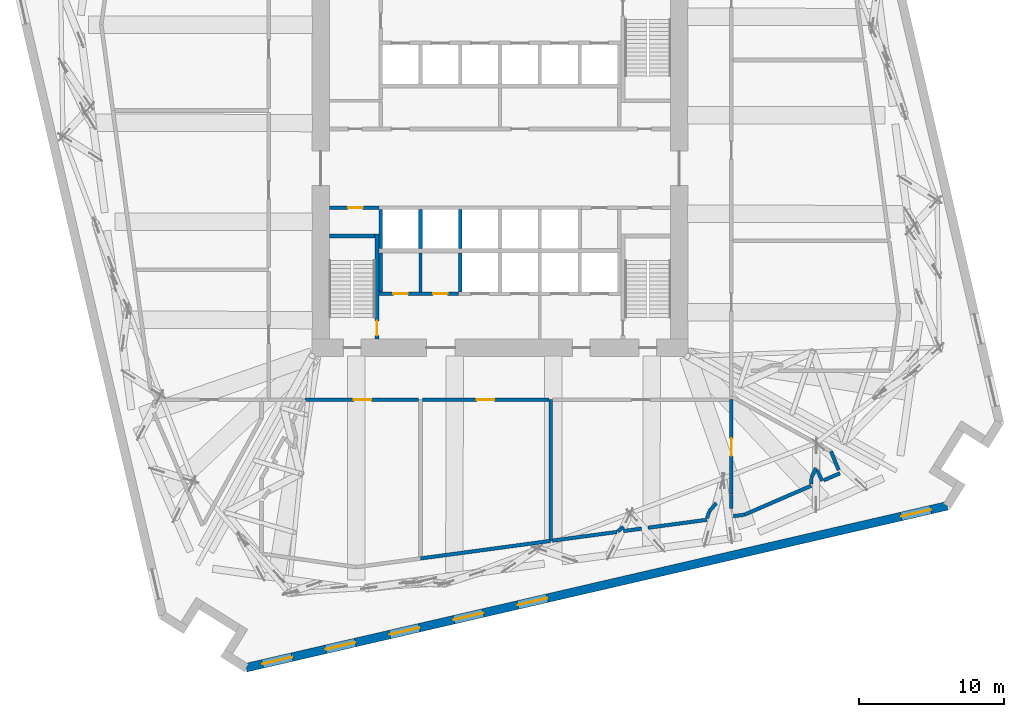
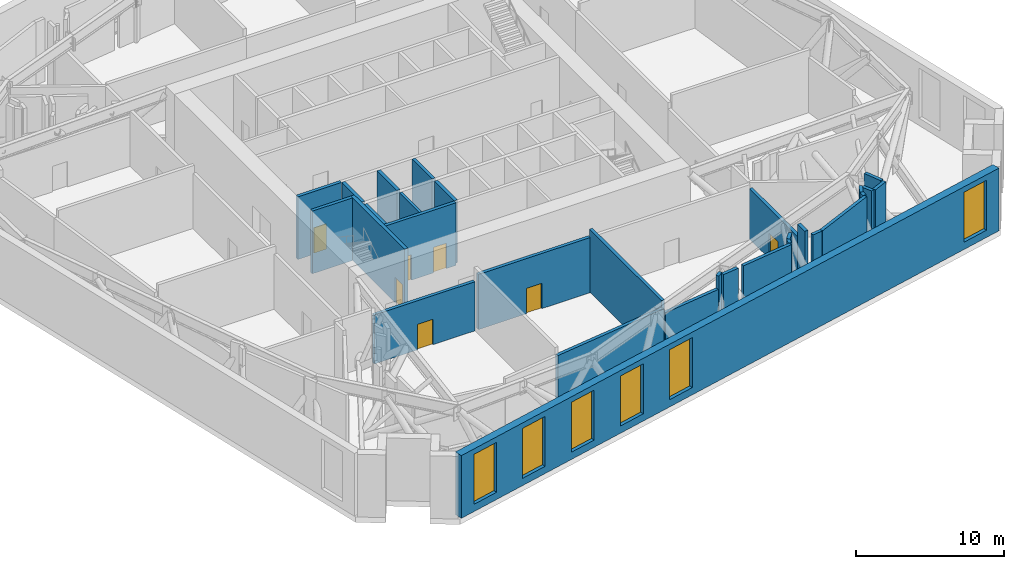
# One storey, part 8 of 17: 30 walls, 7 doors, 6 windows, 13 openings.
"""IFC4 building model written with IfcOpenShell, lengths in metres."""

from ifc_helpers import new_model, si_unit, direction, frame, frame_2d, origin, place, context, subcontext, project, spatial, rectangle, extrude, material, layer, layer_set, type_object, element, fill, save


model = new_model("IFC4")

# Units and contexts
model_context = context("Model", 3, precision=1e-05, world=origin(), true_north=direction((0.0, 1.0)))
body_context = subcontext(model_context, "Body", "Model", "MODEL_VIEW")
ifc_project = project(units=[si_unit("LENGTHUNIT", "METRE"), si_unit("AREAUNIT", "SQUARE_METRE"), si_unit("VOLUMEUNIT", "CUBIC_METRE"), si_unit("PLANEANGLEUNIT", "RADIAN"), si_unit("MASSUNIT", "GRAM", prefix="KILO")], contexts=[model_context])

# Site, building, storey
site_placement = place(None, origin())
site = spatial("IfcSite", under=ifc_project, at=site_placement, CompositionType="ELEMENT")
building_placement = place(site_placement, origin())
building = spatial("IfcBuilding", under=site, at=building_placement, Name="Dilmun Exchange Tower", CompositionType="ELEMENT")
storey_placement = place(building_placement, frame((0.0, 0.0, 76.5)))
storey = spatial("IfcBuildingStorey", under=building, at=storey_placement, Name="L17", CompositionType="ELEMENT", Elevation=76.5)

# Wall
ifc_material_1 = material(Name="Concrete C40/50", Category="concrete")
ifc_layer_1 = layer(ifc_material_1, 0.199951171875)
ifc_layer_set_1 = layer_set([ifc_layer_1], Name="Concrete C40/50")
wall_type_1 = type_object("IfcWallType", Name="Core partition wall 200", PredefinedType="PARTITIONING", material=ifc_layer_set_1)
wall_1_placement = place(storey_placement, frame((-5.5, -8.544921875, 0.0), z_axis=(0.0, 0.0, 1.0), x_axis=(0.0, 1.0, 0.0)))
element("IfcWall", 1, at=wall_1_placement, inside=storey, type_object=wall_type_1, Name="L17 core partition wall 04", PredefinedType="PARTITIONING", context=body_context, shape_type="SweptSolid", body=[
    extrude(rectangle(XDim=2.68994140625, YDim=0.199951171875, at=frame_2d((1.344970703125, 0.0))), origin(), (0.0, 0.0, 1.0), 5.179931640625),
])

# Wall, openings, doors
ifc_layer_2 = layer(ifc_material_1, 0.25)
ifc_layer_set_2 = layer_set([ifc_layer_2], Name="Concrete C40/50")
wall_type_2 = type_object("IfcWallType", Name="Core partition wall 250", PredefinedType="PARTITIONING", material=ifc_layer_set_2)
wall_2_placement = place(storey_placement, frame((-8.3701171875, -8.675048828125, 0.0), z_axis=(0.0, 0.0, 1.0), x_axis=(1.0, 0.0, 0.0)))
wall_2 = element("IfcWall", 2, at=wall_2_placement, inside=storey, type_object=wall_type_2, Name="L17 core partition wall 02", PredefinedType="PARTITIONING", context=body_context, shape_type="SweptSolid", body=[
    extrude(rectangle(XDim=5.490234375, YDim=0.25, at=frame_2d((2.7451171875, 0.0))), origin(), (0.0, 0.0, 1.0), 5.179931640625),
])
opening_1_placement = place(wall_2_placement, frame((0.9951171875, 0.0, 0.0)))
opening_1 = element("IfcOpeningElement", 3, at=opening_1_placement, cuts=wall_2, Name="Opening CD4", PredefinedType="OPENING", context=body_context, shape_type="SweptSolid", body=[
    extrude(rectangle(XDim=1.0, YDim=2.10009765625, at=frame_2d((0.5, 1.050048828125))), frame((0.0, 0.135009765625, 0.0), z_axis=(0.0, -1.0, 0.0), x_axis=(1.0, 0.0, 0.0)), (0.0, 0.0, 1.0), 0.27001953125),
])
opening_2_placement = place(wall_2_placement, frame((3.7451171875, 0.0, 0.0)))
opening_2 = element("IfcOpeningElement", 4, at=opening_2_placement, cuts=wall_2, Name="Opening CD4", PredefinedType="OPENING", context=body_context, shape_type="SweptSolid", body=[
    extrude(rectangle(XDim=1.0, YDim=2.10009765625, at=frame_2d((0.5, 1.050048828125))), frame((0.0, 0.135009765625, 0.0), z_axis=(0.0, -1.0, 0.0), x_axis=(1.0, 0.0, 0.0)), (0.0, 0.0, 1.0), 0.27001953125),
])
ifc_material_2 = material(Name="Fire-rated steel door set", Category="steel")
door_type_1 = type_object("IfcDoorType", Name="Core room door 1000x2100", OperationType="SINGLE_SWING_LEFT", PredefinedType="DOOR", material=ifc_material_2)
door_1_placement = place(opening_1_placement, origin())
door_1 = element("IfcDoor", 5, at=door_1_placement, inside=storey, type_object=door_type_1, Name="L17 door Male WC", OperationType="SINGLE_SWING_RIGHT", OverallHeight=2.10009765625, OverallWidth=1.0, PredefinedType="DOOR", context=body_context, shape_type="SweptSolid", body=[
    extrude(rectangle(XDim=1.0, YDim=2.10009765625, at=frame_2d((0.5, 1.050048828125))), frame((0.0, 0.02490234375, 0.0), z_axis=(0.0, -1.0, 0.0), x_axis=(1.0, 0.0, 0.0)), (0.0, 0.0, 1.0), 0.050048828125),
])
fill(opening_1, door_1)
door_2_placement = place(opening_2_placement, origin())
door_2 = element("IfcDoor", 6, at=door_2_placement, inside=storey, type_object=door_type_1, Name="L17 door Female WC", OperationType="SINGLE_SWING_RIGHT", OverallHeight=2.10009765625, OverallWidth=1.0, PredefinedType="DOOR", context=body_context, shape_type="SweptSolid", body=[
    extrude(rectangle(XDim=1.0, YDim=2.10009765625, at=frame_2d((0.5, 1.050048828125))), frame((0.0, 0.02490234375, 0.0), z_axis=(0.0, -1.0, 0.0), x_axis=(1.0, 0.0, 0.0)), (0.0, 0.0, 1.0), 0.050048828125),
])
fill(opening_2, door_2)

# Wall
wall_3_placement = place(storey_placement, frame((-8.25, -8.544921875, 0.0), z_axis=(0.0, 0.0, 1.0), x_axis=(0.0, 1.0, 0.0)))
element("IfcWall", 7, at=wall_3_placement, inside=storey, type_object=wall_type_2, Name="L17 core partition wall 03", PredefinedType="PARTITIONING", context=body_context, shape_type="SweptSolid", body=[
    extrude(rectangle(XDim=2.68994140625, YDim=0.25, at=frame_2d((1.344970703125, 0.0))), origin(), (0.0, 0.0, 1.0), 5.179931640625),
])

# Wall, opening, door
wall_4_placement = place(storey_placement, frame((-11.794921875, -2.72509765625, 0.0), z_axis=(0.0, 0.0, 1.0), x_axis=(1.0, 0.0, 0.0)))
wall_4 = element("IfcWall", 8, at=wall_4_placement, inside=storey, type_object=wall_type_2, Name="L17 core partition wall 06", PredefinedType="PARTITIONING", context=body_context, shape_type="SweptSolid", body=[
    extrude(rectangle(XDim=3.4150390625, YDim=0.25, at=frame_2d((1.70751953125, 0.0))), origin(), (0.0, 0.0, 1.0), 5.179931640625),
])
opening_3_placement = place(wall_4_placement, frame((1.294921875, 0.0, 0.0)))
opening_3 = element("IfcOpeningElement", 9, at=opening_3_placement, cuts=wall_4, Name="Opening CD4", PredefinedType="OPENING", context=body_context, shape_type="SweptSolid", body=[
    extrude(rectangle(XDim=1.0, YDim=2.10009765625, at=frame_2d((0.5, 1.050048828125))), frame((0.0, 0.135009765625, 0.0), z_axis=(0.0, -1.0, 0.0), x_axis=(1.0, 0.0, 0.0)), (0.0, 0.0, 1.0), 0.27001953125),
])
door_3_placement = place(opening_3_placement, origin())
door_3 = element("IfcDoor", 10, at=door_3_placement, inside=storey, type_object=door_type_1, Name="L17 door Accessible WC", OperationType="SINGLE_SWING_RIGHT", OverallHeight=2.10009765625, OverallWidth=1.0, PredefinedType="DOOR", context=body_context, shape_type="SweptSolid", body=[
    extrude(rectangle(XDim=1.0, YDim=2.10009765625, at=frame_2d((0.5, 1.050048828125))), frame((0.0, 0.02490234375, 0.0), z_axis=(0.0, -1.0, 0.0), x_axis=(1.0, 0.0, 0.0)), (0.0, 0.0, 1.0), 0.050048828125),
])
fill(opening_3, door_3)

# Walls
ifc_layer_3 = layer(ifc_material_1, 0.25)
ifc_layer_set_3 = layer_set([ifc_layer_3], Name="Concrete C40/50")
wall_type_3 = type_object("IfcWallType", Name="Lift shaft wall 250", PredefinedType="SOLIDWALL", material=ifc_layer_set_3)
for number, where, z_axis, x_axis, name in (
    (11, (-8.25, -5.550048828125, 0.0), (0.0, 0.0, 1.0), (0.0, 1.0, 0.0), "L17 lift shaft divider S10"),
    (12, (-5.5, -5.550048828125, 0.0), (0.0, 0.0, 1.0), (0.0, 1.0, 0.0), "L17 lift shaft divider S11"),
    (13, (-2.75, -5.550048828125, 0.0), (0.0, 0.0, 1.0), (0.0, 1.0, 0.0), "L17 lift shaft divider S12"),
    (14, (-2.75, -8.550048828125, 0.0), (0.0, 0.0, 1.0), (0.0, 1.0, 0.0), "L17 lift shaft divider S22"),
):
    element("IfcWall", number, at=place(storey_placement, frame(where, z_axis=z_axis, x_axis=x_axis)), inside=storey, type_object=wall_type_3, Name=name, PredefinedType="SOLIDWALL", context=body_context, shape_type="SweptSolid", body=[
        extrude(rectangle(XDim=2.699951171875, YDim=0.25, at=frame_2d((1.35009765625, 0.0))), origin(), (0.0, 0.0, 1.0), 5.179931640625),
    ])
ifc_material_3 = material(Name="Concrete C32/40", Category="concrete")
ifc_layer_4 = layer(ifc_material_3, 0.25)
ifc_layer_set_4 = layer_set([ifc_layer_4], Name="Concrete C32/40")
wall_type_4 = type_object("IfcWallType", Name="Plant room wall 250", PredefinedType="PARTITIONING", material=ifc_layer_set_4)
wall_5_placement = place(storey_placement, frame((-5.4951171875, -26.978515625, 0.0), z_axis=(0.0, 0.0, 1.0), x_axis=(0.991006637974, 0.133812717975, 0.0)))
element("IfcWall", 15, at=wall_5_placement, inside=storey, type_object=wall_type_4, Name="L17 plant room wall 05", PredefinedType="PARTITIONING", context=body_context, shape_type="SweptSolid", body=[
    extrude(rectangle(XDim=9.056884765625, YDim=0.25, at=frame_2d((4.5283203125, 0.0))), origin(), (0.0, 0.0, 1.0), 4.56005859375),
])
wall_6_placement = place(storey_placement, frame((3.5, -25.763916015625, 0.0), z_axis=(0.0, 0.0, 1.0), x_axis=(0.0, 1.0, 0.0)))
element("IfcWall", 16, at=wall_6_placement, inside=storey, type_object=wall_type_4, Name="L17 plant room wall 06", PredefinedType="PARTITIONING", context=body_context, shape_type="SweptSolid", body=[
    extrude(rectangle(XDim=9.763916015625, YDim=0.25, at=frame_2d((4.8818359375, 0.0))), origin(), (0.0, 0.0, 1.0), 5.179931640625),
])
wall_7_placement = place(storey_placement, frame((3.6298828125, -25.746337890625, 0.0), z_axis=(0.0, 0.0, 1.0), x_axis=(0.990993402674, 0.133910701056, 0.0)))
element("IfcWall", 17, at=wall_7_placement, inside=storey, type_object=wall_type_4, Name="L17 plant room wall 07", PredefinedType="PARTITIONING", context=body_context, shape_type="SweptSolid", body=[
    extrude(rectangle(XDim=4.503173828125, YDim=0.25, at=frame_2d((2.25146484375, 0.0))), origin(), (0.0, 0.0, 1.0), 4.152099609375),
])
wall_8_placement = place(storey_placement, frame((8.542724609375, -25.08251953125, 0.0), z_axis=(0.0, 0.0, 1.0), x_axis=(0.990998710615, 0.133871414275, 0.0)))
element("IfcWall", 18, at=wall_8_placement, inside=storey, type_object=wall_type_4, Name="L17 plant room wall 08", PredefinedType="PARTITIONING", context=body_context, shape_type="SweptSolid", body=[
    extrude(rectangle(XDim=1.254638671875, YDim=0.25, at=frame_2d((0.62744140625, 0.0))), origin(), (0.0, 0.0, 1.0), 5.179931640625),
])
wall_9_placement = place(storey_placement, frame((8.13623046875, -25.1083984375, 0.0), z_axis=(0.0, 0.0, 1.0), x_axis=(0.782113596314, 0.623135878007, 0.0)))
element("IfcWall", 19, at=wall_9_placement, inside=storey, type_object=wall_type_4, Name="L17 plant room wall 09", PredefinedType="PARTITIONING", context=body_context, shape_type="SweptSolid", body=[
    extrude(rectangle(XDim=0.51611328125, YDim=0.25, at=frame_2d((0.258056640625, 0.0))), origin(), (0.0, 0.0, 1.0), 5.179931640625),
])
wall_10_placement = place(storey_placement, frame((10.236328125, -24.853759765625, 0.0), z_axis=(0.0, 0.0, 1.0), x_axis=(0.990993712882, 0.133908405367, 0.0)))
element("IfcWall", 20, at=wall_10_placement, inside=storey, type_object=wall_type_4, Name="L17 plant room wall 12", PredefinedType="PARTITIONING", context=body_context, shape_type="SweptSolid", body=[
    extrude(rectangle(XDim=4.0966796875, YDim=0.25, at=frame_2d((2.04833984375, 0.0))), origin(), (0.0, 0.0, 1.0), 5.179931640625),
])
wall_11_placement = place(storey_placement, frame((16.134033203125, -24.056884765625, 0.0), z_axis=(0.0, 0.0, 1.0), x_axis=(0.991006009545, 0.133817371989, 0.0)))
element("IfcWall", 21, at=wall_11_placement, inside=storey, type_object=wall_type_4, Name="L17 plant room wall 13", PredefinedType="PARTITIONING", context=body_context, shape_type="SweptSolid", body=[
    extrude(rectangle(XDim=0.7734375, YDim=0.25, at=frame_2d((0.38671875, 0.0))), origin(), (0.0, 0.0, 1.0), 5.179931640625),
])
wall_12_placement = place(storey_placement, frame((14.326416015625, -24.196533203125, 0.0), z_axis=(0.0, 0.0, 1.0), x_axis=(0.267044981937, 0.963684065253, 0.0)))
element("IfcWall", 22, at=wall_12_placement, inside=storey, type_object=wall_type_4, Name="L17 plant room wall 14", PredefinedType="PARTITIONING", context=body_context, shape_type="SweptSolid", body=[
    extrude(rectangle(XDim=0.462646484375, YDim=0.25, at=frame_2d((0.2314453125, 0.0))), origin(), (0.0, 0.0, 1.0), 5.179931640625),
])
wall_13_placement = place(storey_placement, frame((16.0, -23.5263671875, 0.0), z_axis=(0.0, 0.0, 1.0), x_axis=(0.0, 1.0, 0.0)))
element("IfcWall", 23, at=wall_13_placement, inside=storey, type_object=wall_type_4, Name="L17 plant room wall 15", PredefinedType="PARTITIONING", context=body_context, shape_type="SweptSolid", body=[
    extrude(rectangle(XDim=0.988525390625, YDim=0.25, at=frame_2d((0.494140625, 0.0))), origin(), (0.0, 0.0, 1.0), 5.179931640625),
])
wall_14_placement = place(storey_placement, frame((14.463623046875, -23.724853515625, 0.0), z_axis=(0.0, 0.0, 1.0), x_axis=(0.64965569547, 0.760228569144, 0.0)))
element("IfcWall", 24, at=wall_14_placement, inside=storey, type_object=wall_type_4, Name="L17 plant room wall 16", PredefinedType="PARTITIONING", context=body_context, shape_type="SweptSolid", body=[
    extrude(rectangle(XDim=0.76171875, YDim=0.25, at=frame_2d((0.380859375, 0.0))), origin(), (0.0, 0.0, 1.0), 5.179931640625),
])

# Wall, opening, door
wall_15_placement = place(storey_placement, frame((16.0, -22.53271484375, 0.0), z_axis=(0.0, 0.0, 1.0), x_axis=(0.0, 1.0, 0.0)))
wall_15 = element("IfcWall", 25, at=wall_15_placement, inside=storey, type_object=wall_type_4, Name="L17 plant room wall 18", PredefinedType="PARTITIONING", context=body_context, shape_type="SweptSolid", body=[
    extrude(rectangle(XDim=6.53271484375, YDim=0.25, at=frame_2d((3.266357421875, 0.0))), origin(), (0.0, 0.0, 1.0), 4.152099609375),
])
opening_4_placement = place(wall_15_placement, frame((2.65380859375, 0.0, 0.0)))
opening_4 = element("IfcOpeningElement", 26, at=opening_4_placement, cuts=wall_15, Name="Opening PD2", PredefinedType="OPENING", context=body_context, shape_type="SweptSolid", body=[
    extrude(rectangle(XDim=1.199951171875, YDim=2.10009765625, at=frame_2d((0.60009765625, 1.050048828125))), frame((0.0, 0.135009765625, 0.0), z_axis=(0.0, -1.0, 0.0), x_axis=(1.0, 0.0, 0.0)), (0.0, 0.0, 1.0), 0.27001953125),
])
door_type_2 = type_object("IfcDoorType", Name="Plant room door 1200x2100", OperationType="SINGLE_SWING_LEFT", PredefinedType="DOOR", material=ifc_material_2)
door_4_placement = place(opening_4_placement, origin())
door_4 = element("IfcDoor", 27, at=door_4_placement, inside=storey, type_object=door_type_2, Name="L17 door Comms plant room", OperationType="SINGLE_SWING_LEFT", OverallHeight=2.10009765625, OverallWidth=1.199951171875, PredefinedType="DOOR", context=body_context, shape_type="SweptSolid", body=[
    extrude(rectangle(XDim=1.199951171875, YDim=2.10009765625, at=frame_2d((0.60009765625, 1.050048828125))), frame((0.0, 0.02490234375, 0.0), z_axis=(0.0, -1.0, 0.0), x_axis=(1.0, 0.0, 0.0)), (0.0, 0.0, 1.0), 0.050048828125),
])
fill(opening_4, door_4)

# Walls
wall_16_placement = place(storey_placement, frame((16.905517578125, -23.951171875, 0.0), z_axis=(0.0, 0.0, 1.0), x_axis=(0.917468783526, 0.397807781793, 0.0)))
element("IfcWall", 28, at=wall_16_placement, inside=storey, type_object=wall_type_4, Name="L17 plant room wall 21", PredefinedType="PARTITIONING", context=body_context, shape_type="SweptSolid", body=[
    extrude(rectangle(XDim=5.02685546875, YDim=0.25, at=frame_2d((2.513427734375, 0.0))), origin(), (0.0, 0.0, 1.0), 5.179931640625),
])
wall_17_placement = place(storey_placement, frame((21.94140625, -20.882080078125, 0.0), z_axis=(0.0, 0.0, 1.0), x_axis=(0.416065012989, -0.909334869543, 0.0)))
element("IfcWall", 29, at=wall_17_placement, inside=storey, type_object=wall_type_4, Name="L17 plant room wall 22", PredefinedType="PARTITIONING", context=body_context, shape_type="SweptSolid", body=[
    extrude(rectangle(XDim=0.812744140625, YDim=0.25, at=frame_2d((0.40625, 0.0))), origin(), (0.0, 0.0, 1.0), 5.179931640625),
])
wall_18_placement = place(storey_placement, frame((21.518310546875, -21.839111328125, 0.0), z_axis=(0.0, 0.0, 1.0), x_axis=(0.00723308384, 0.999973840907, 0.0)))
element("IfcWall", 30, at=wall_18_placement, inside=storey, type_object=wall_type_4, Name="L17 plant room wall 24", PredefinedType="PARTITIONING", context=body_context, shape_type="SweptSolid", body=[
    extrude(rectangle(XDim=0.405029296875, YDim=0.25, at=frame_2d((0.20263671875, 0.0))), origin(), (0.0, 0.0, 1.0), 5.179931640625),
])
wall_19_placement = place(storey_placement, frame((22.398193359375, -21.569580078125, 0.0), z_axis=(0.0, 0.0, 1.0), x_axis=(0.917450361353, 0.397850266373, 0.0)))
element("IfcWall", 31, at=wall_19_placement, inside=storey, type_object=wall_type_4, Name="L17 plant room wall 26", PredefinedType="PARTITIONING", context=body_context, shape_type="SweptSolid", body=[
    extrude(rectangle(XDim=1.213134765625, YDim=0.25, at=frame_2d((0.6064453125, 0.0))), origin(), (0.0, 0.0, 1.0), 5.179931640625),
])
wall_20_placement = place(storey_placement, frame((21.52783203125, -21.405517578125, 0.0), z_axis=(0.0, 0.0, 1.0), x_axis=(0.429174492436, 0.903221597972, 0.0)))
element("IfcWall", 32, at=wall_20_placement, inside=storey, type_object=wall_type_4, Name="L17 plant room wall 27", PredefinedType="PARTITIONING", context=body_context, shape_type="SweptSolid", body=[
    extrude(rectangle(XDim=0.76171875, YDim=0.25, at=frame_2d((0.380859375, 0.0))), origin(), (0.0, 0.0, 1.0), 5.179931640625),
])
wall_21_placement = place(storey_placement, frame((22.8896484375, -19.5712890625, 0.0), z_axis=(0.0, 0.0, 1.0), x_axis=(0.379457302073, -0.925209249794, 0.0)))
element("IfcWall", 33, at=wall_21_placement, inside=storey, type_object=wall_type_4, Name="L17 plant room wall 30", PredefinedType="PARTITIONING", context=body_context, shape_type="SweptSolid", body=[
    extrude(rectangle(XDim=1.406494140625, YDim=0.25, at=frame_2d((0.703125, 0.0))), origin(), (0.0, 0.0, 1.0), 5.179931640625),
])

# Wall, opening, door
wall_22_placement = place(storey_placement, frame((-13.49609375, -16.0, 0.0), z_axis=(0.0, 0.0, 1.0), x_axis=(1.0, 0.0, 0.0)))
wall_22 = element("IfcWall", 34, at=wall_22_placement, inside=storey, type_object=wall_type_4, Name="L17 plant room wall 43", PredefinedType="PARTITIONING", context=body_context, shape_type="SweptSolid", body=[
    extrude(rectangle(XDim=7.8662109375, YDim=0.25, at=frame_2d((3.93310546875, 0.0))), origin(), (0.0, 0.0, 1.0), 4.06005859375),
])
opening_5_placement = place(wall_22_placement, frame((3.3916015625, 0.0, 0.0)))
opening_5 = element("IfcOpeningElement", 35, at=opening_5_placement, cuts=wall_22, Name="Opening PD2", PredefinedType="OPENING", context=body_context, shape_type="SweptSolid", body=[
    extrude(rectangle(XDim=1.199951171875, YDim=2.10009765625, at=frame_2d((0.60009765625, 1.050048828125))), frame((0.0, 0.135009765625, 0.0), z_axis=(0.0, -1.0, 0.0), x_axis=(1.0, 0.0, 0.0)), (0.0, 0.0, 1.0), 0.27001953125),
])
door_5_placement = place(opening_5_placement, origin())
door_5 = element("IfcDoor", 36, at=door_5_placement, inside=storey, type_object=door_type_2, Name="L17 door Transformer room", OperationType="SINGLE_SWING_RIGHT", OverallHeight=2.10009765625, OverallWidth=1.199951171875, PredefinedType="DOOR", context=body_context, shape_type="SweptSolid", body=[
    extrude(rectangle(XDim=1.199951171875, YDim=2.10009765625, at=frame_2d((0.60009765625, 1.050048828125))), frame((0.0, 0.02490234375, 0.0), z_axis=(0.0, -1.0, 0.0), x_axis=(1.0, 0.0, 0.0)), (0.0, 0.0, 1.0), 0.050048828125),
])
fill(opening_5, door_5)

wall_23_placement = place(storey_placement, frame((-5.3701171875, -16.0, 0.0), z_axis=(0.0, 0.0, 1.0), x_axis=(1.0, 0.0, 0.0)))
wall_23 = element("IfcWall", 37, at=wall_23_placement, inside=storey, type_object=wall_type_4, Name="L17 plant room wall 44", PredefinedType="PARTITIONING", context=body_context, shape_type="SweptSolid", body=[
    extrude(rectangle(XDim=8.740234375, YDim=0.25, at=frame_2d((4.3701171875, 0.0))), origin(), (0.0, 0.0, 1.0), 4.56005859375),
])
opening_6_placement = place(wall_23_placement, frame((3.77001953125, 0.0, 0.0)))
opening_6 = element("IfcOpeningElement", 38, at=opening_6_placement, cuts=wall_23, Name="Opening PD2", PredefinedType="OPENING", context=body_context, shape_type="SweptSolid", body=[
    extrude(rectangle(XDim=1.199951171875, YDim=2.10009765625, at=frame_2d((0.60009765625, 1.050048828125))), frame((0.0, 0.135009765625, 0.0), z_axis=(0.0, -1.0, 0.0), x_axis=(1.0, 0.0, 0.0)), (0.0, 0.0, 1.0), 0.27001953125),
])
door_6_placement = place(opening_6_placement, origin())
door_6 = element("IfcDoor", 39, at=door_6_placement, inside=storey, type_object=door_type_2, Name="L17 door Electrical switch room", OperationType="SINGLE_SWING_LEFT", OverallHeight=2.10009765625, OverallWidth=1.199951171875, PredefinedType="DOOR", context=body_context, shape_type="SweptSolid", body=[
    extrude(rectangle(XDim=1.199951171875, YDim=2.10009765625, at=frame_2d((0.60009765625, 1.050048828125))), frame((0.0, 0.02490234375, 0.0), z_axis=(0.0, -1.0, 0.0), x_axis=(1.0, 0.0, 0.0)), (0.0, 0.0, 1.0), 0.050048828125),
])
fill(opening_6, door_6)

# Wall, openings, windows
ifc_material_4 = material(Name="Precast concrete C50/60", Category="concrete")
ifc_layer_5 = layer(ifc_material_4, 0.60009765625)
ifc_layer_set_5 = layer_set([ifc_layer_5], Name="Precast concrete C50/60")
wall_type_5 = type_object("IfcWallType", Name="Precast stone-clad wall 600", PredefinedType="STANDARD", material=ifc_layer_set_5)
wall_24_placement = place(storey_placement, frame((-17.55712890625, -34.53466796875, 0.0), z_axis=(0.0, 0.0, 1.0), x_axis=(0.974370018709, 0.224951253923, 0.0)))
wall_24 = element("IfcWall", 40, at=wall_24_placement, inside=storey, type_object=wall_type_5, Name="Facade wall L17-15", PredefinedType="STANDARD", context=body_context, shape_type="SweptSolid", body=[
    extrude(rectangle(XDim=49.75146484375, YDim=0.60009765625, at=frame_2d((24.875732421875, 0.0))), origin(), (0.0, 0.0, 1.0), 5.179931640625),
])
opening_7_placement = place(wall_24_placement, frame((1.16064453125, 0.0, 0.60009765625)))
opening_7 = element("IfcOpeningElement", 41, at=opening_7_placement, cuts=wall_24, Name="Opening LV210-413", PredefinedType="OPENING", context=body_context, shape_type="SweptSolid", body=[
    extrude(rectangle(XDim=2.10009765625, YDim=4.1298828125, at=frame_2d((1.050048828125, 2.06494140625))), frame((0.0, 0.31005859375, 0.0), z_axis=(0.0, -1.0, 0.0), x_axis=(1.0, 0.0, 0.0)), (0.0, 0.0, 1.0), 0.6201171875),
])
opening_8_placement = place(wall_24_placement, frame((5.643798828125, 0.0, 0.60009765625)))
opening_8 = element("IfcOpeningElement", 42, at=opening_8_placement, cuts=wall_24, Name="Opening LV210-413", PredefinedType="OPENING", context=body_context, shape_type="SweptSolid", body=[
    extrude(rectangle(XDim=2.10009765625, YDim=4.1298828125, at=frame_2d((1.050048828125, 2.06494140625))), frame((0.0, 0.31005859375, 0.0), z_axis=(0.0, -1.0, 0.0), x_axis=(1.0, 0.0, 0.0)), (0.0, 0.0, 1.0), 0.6201171875),
])
opening_9_placement = place(wall_24_placement, frame((10.189453125, 0.0, 0.60009765625)))
opening_9 = element("IfcOpeningElement", 43, at=opening_9_placement, cuts=wall_24, Name="Opening LV210-413", PredefinedType="OPENING", context=body_context, shape_type="SweptSolid", body=[
    extrude(rectangle(XDim=2.10009765625, YDim=4.1298828125, at=frame_2d((1.050048828125, 2.06494140625))), frame((0.0, 0.31005859375, 0.0), z_axis=(0.0, -1.0, 0.0), x_axis=(1.0, 0.0, 0.0)), (0.0, 0.0, 1.0), 0.6201171875),
])
opening_10_placement = place(wall_24_placement, frame((14.73486328125, 0.0, 0.60009765625)))
opening_10 = element("IfcOpeningElement", 44, at=opening_10_placement, cuts=wall_24, Name="Opening LV210-413", PredefinedType="OPENING", context=body_context, shape_type="SweptSolid", body=[
    extrude(rectangle(XDim=2.10009765625, YDim=4.1298828125, at=frame_2d((1.050048828125, 2.06494140625))), frame((0.0, 0.31005859375, 0.0), z_axis=(0.0, -1.0, 0.0), x_axis=(1.0, 0.0, 0.0)), (0.0, 0.0, 1.0), 0.6201171875),
])
opening_11_placement = place(wall_24_placement, frame((19.2802734375, 0.0, 0.60009765625)))
opening_11 = element("IfcOpeningElement", 45, at=opening_11_placement, cuts=wall_24, Name="Opening LV210-413", PredefinedType="OPENING", context=body_context, shape_type="SweptSolid", body=[
    extrude(rectangle(XDim=2.10009765625, YDim=4.1298828125, at=frame_2d((1.050048828125, 2.06494140625))), frame((0.0, 0.31005859375, 0.0), z_axis=(0.0, -1.0, 0.0), x_axis=(1.0, 0.0, 0.0)), (0.0, 0.0, 1.0), 0.6201171875),
])
opening_12_placement = place(wall_24_placement, frame((46.490966796875, 0.0, 0.60009765625)))
opening_12 = element("IfcOpeningElement", 46, at=opening_12_placement, cuts=wall_24, Name="Opening LV210-413", PredefinedType="OPENING", context=body_context, shape_type="SweptSolid", body=[
    extrude(rectangle(XDim=2.10009765625, YDim=4.1298828125, at=frame_2d((1.050048828125, 2.06494140625))), frame((0.0, 0.31005859375, 0.0), z_axis=(0.0, -1.0, 0.0), x_axis=(1.0, 0.0, 0.0)), (0.0, 0.0, 1.0), 0.6201171875),
])
ifc_material_5 = material(Name="Anodised aluminium louvre blades with sand trap", Category="aluminium")
window_type = type_object("IfcWindowType", Name="Plant louvre 2100 x 4130", PartitioningType="SINGLE_PANEL", PredefinedType="USERDEFINED", material=ifc_material_5)
window_1_placement = place(opening_7_placement, origin())
window_1 = element("IfcWindow", 47, at=window_1_placement, inside=storey, type_object=window_type, Name="Plant louvre 16.1", ObjectType="LOUVRE", OverallHeight=4.1298828125, OverallWidth=2.10009765625, PartitioningType="SINGLE_PANEL", PredefinedType="USERDEFINED", context=body_context, shape_type="SweptSolid", body=[
    extrude(rectangle(XDim=2.10009765625, YDim=4.1298828125, at=frame_2d((1.050048828125, 2.06494140625))), frame((0.0, 0.030029296875, 0.0), z_axis=(0.0, -1.0, 0.0), x_axis=(1.0, 0.0, 0.0)), (0.0, 0.0, 1.0), 0.06005859375),
])
fill(opening_7, window_1)
window_2_placement = place(opening_8_placement, origin())
window_2 = element("IfcWindow", 48, at=window_2_placement, inside=storey, type_object=window_type, Name="Plant louvre 16.2", ObjectType="LOUVRE", OverallHeight=4.1298828125, OverallWidth=2.10009765625, PartitioningType="SINGLE_PANEL", PredefinedType="USERDEFINED", context=body_context, shape_type="SweptSolid", body=[
    extrude(rectangle(XDim=2.10009765625, YDim=4.1298828125, at=frame_2d((1.050048828125, 2.06494140625))), frame((0.0, 0.030029296875, 0.0), z_axis=(0.0, -1.0, 0.0), x_axis=(1.0, 0.0, 0.0)), (0.0, 0.0, 1.0), 0.06005859375),
])
fill(opening_8, window_2)
window_3_placement = place(opening_9_placement, origin())
window_3 = element("IfcWindow", 49, at=window_3_placement, inside=storey, type_object=window_type, Name="Plant louvre 16.3", ObjectType="LOUVRE", OverallHeight=4.1298828125, OverallWidth=2.10009765625, PartitioningType="SINGLE_PANEL", PredefinedType="USERDEFINED", context=body_context, shape_type="SweptSolid", body=[
    extrude(rectangle(XDim=2.10009765625, YDim=4.1298828125, at=frame_2d((1.050048828125, 2.06494140625))), frame((0.0, 0.030029296875, 0.0), z_axis=(0.0, -1.0, 0.0), x_axis=(1.0, 0.0, 0.0)), (0.0, 0.0, 1.0), 0.06005859375),
])
fill(opening_9, window_3)
window_4_placement = place(opening_10_placement, origin())
window_4 = element("IfcWindow", 50, at=window_4_placement, inside=storey, type_object=window_type, Name="Plant louvre 16.4", ObjectType="LOUVRE", OverallHeight=4.1298828125, OverallWidth=2.10009765625, PartitioningType="SINGLE_PANEL", PredefinedType="USERDEFINED", context=body_context, shape_type="SweptSolid", body=[
    extrude(rectangle(XDim=2.10009765625, YDim=4.1298828125, at=frame_2d((1.050048828125, 2.06494140625))), frame((0.0, 0.030029296875, 0.0), z_axis=(0.0, -1.0, 0.0), x_axis=(1.0, 0.0, 0.0)), (0.0, 0.0, 1.0), 0.06005859375),
])
fill(opening_10, window_4)
window_5_placement = place(opening_11_placement, origin())
window_5 = element("IfcWindow", 51, at=window_5_placement, inside=storey, type_object=window_type, Name="Plant louvre 16.5", ObjectType="LOUVRE", OverallHeight=4.1298828125, OverallWidth=2.10009765625, PartitioningType="SINGLE_PANEL", PredefinedType="USERDEFINED", context=body_context, shape_type="SweptSolid", body=[
    extrude(rectangle(XDim=2.10009765625, YDim=4.1298828125, at=frame_2d((1.050048828125, 2.06494140625))), frame((0.0, 0.030029296875, 0.0), z_axis=(0.0, -1.0, 0.0), x_axis=(1.0, 0.0, 0.0)), (0.0, 0.0, 1.0), 0.06005859375),
])
fill(opening_11, window_5)
window_6_placement = place(opening_12_placement, origin())
window_6 = element("IfcWindow", 52, at=window_6_placement, inside=storey, type_object=window_type, Name="Plant louvre 16.11", ObjectType="LOUVRE", OverallHeight=4.1298828125, OverallWidth=2.10009765625, PartitioningType="SINGLE_PANEL", PredefinedType="USERDEFINED", context=body_context, shape_type="SweptSolid", body=[
    extrude(rectangle(XDim=2.10009765625, YDim=4.1298828125, at=frame_2d((1.050048828125, 2.06494140625))), frame((0.0, 0.030029296875, 0.0), z_axis=(0.0, -1.0, 0.0), x_axis=(1.0, 0.0, 0.0)), (0.0, 0.0, 1.0), 0.06005859375),
])
fill(opening_12, window_6)

# Wall
ifc_layer_6 = layer(ifc_material_1, 0.25)
ifc_layer_set_6 = layer_set([ifc_layer_6], Name="Concrete C40/50")
wall_type_6 = type_object("IfcWallType", Name="Stair end wall 250", PredefinedType="SOLIDWALL", material=ifc_layer_set_6)
wall_25_placement = place(storey_placement, frame((-8.64990234375, -4.675048828125, 0.0), z_axis=(0.0, 0.0, 1.0), x_axis=(-1.0, 0.0, 0.0)))
element("IfcWall", 53, at=wall_25_placement, inside=storey, type_object=wall_type_6, Name="L17 ST2 far wall", PredefinedType="SOLIDWALL", context=body_context, shape_type="SweptSolid", body=[
    extrude(rectangle(XDim=3.150146484375, YDim=0.25, at=frame_2d((1.5751953125, 0.0))), origin(), (0.0, 0.0, 1.0), 5.179931640625),
])

# Wall, opening, door
ifc_layer_7 = layer(ifc_material_1, 0.27490234375)
ifc_layer_set_7 = layer_set([ifc_layer_7], Name="Concrete C40/50")
wall_type_7 = type_object("IfcWallType", Name="Stair wall 275", PredefinedType="SOLIDWALL", material=ifc_layer_set_7)
wall_26_placement = place(storey_placement, frame((-8.512451171875, -4.550048828125, 0.0), z_axis=(0.0, 0.0, 1.0), x_axis=(0.0, -1.0, 0.0)))
wall_26 = element("IfcWall", 54, at=wall_26_placement, inside=storey, type_object=wall_type_7, Name="L17 ST2 wall to lift block", PredefinedType="SOLIDWALL", context=body_context, shape_type="SweptSolid", body=[
    extrude(rectangle(XDim=7.25, YDim=0.27490234375, at=frame_2d((3.625, 0.0))), origin(), (0.0, 0.0, 1.0), 5.179931640625),
])
opening_13_placement = place(wall_26_placement, frame((6.0, 0.0, 0.0)))
opening_13 = element("IfcOpeningElement", 55, at=opening_13_placement, cuts=wall_26, Name="Opening CD4", PredefinedType="OPENING", context=body_context, shape_type="SweptSolid", body=[
    extrude(rectangle(XDim=1.0, YDim=2.10009765625, at=frame_2d((0.5, 1.050048828125))), frame((0.0, 0.1474609375, 0.0), z_axis=(0.0, -1.0, 0.0), x_axis=(1.0, 0.0, 0.0)), (0.0, 0.0, 1.0), 0.294921875),
])
door_7_placement = place(opening_13_placement, origin())
door_7 = element("IfcDoor", 56, at=door_7_placement, inside=storey, type_object=door_type_1, Name="L17 door ST2 from lobby", OperationType="SINGLE_SWING_LEFT", OverallHeight=2.10009765625, OverallWidth=1.0, PredefinedType="DOOR", context=body_context, shape_type="SweptSolid", body=[
    extrude(rectangle(XDim=1.0, YDim=2.10009765625, at=frame_2d((0.5, 1.050048828125))), frame((0.0, 0.02490234375, 0.0), z_axis=(0.0, -1.0, 0.0), x_axis=(1.0, 0.0, 0.0)), (0.0, 0.0, 1.0), 0.050048828125),
])
fill(opening_13, door_7)

save(model, "model.ifc")
